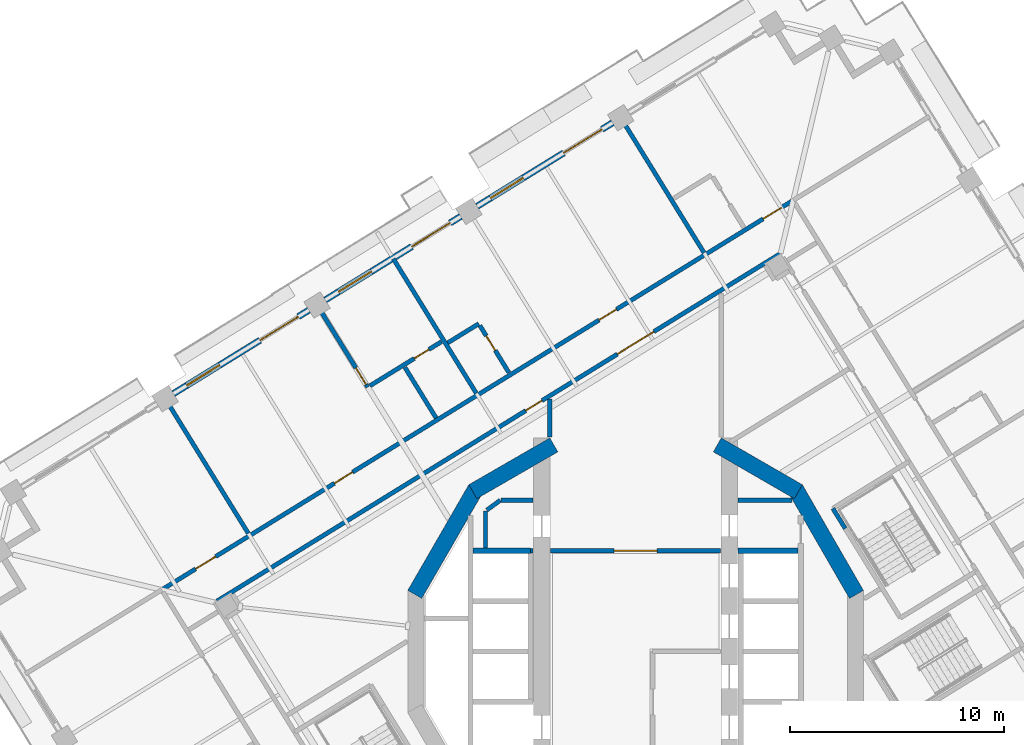
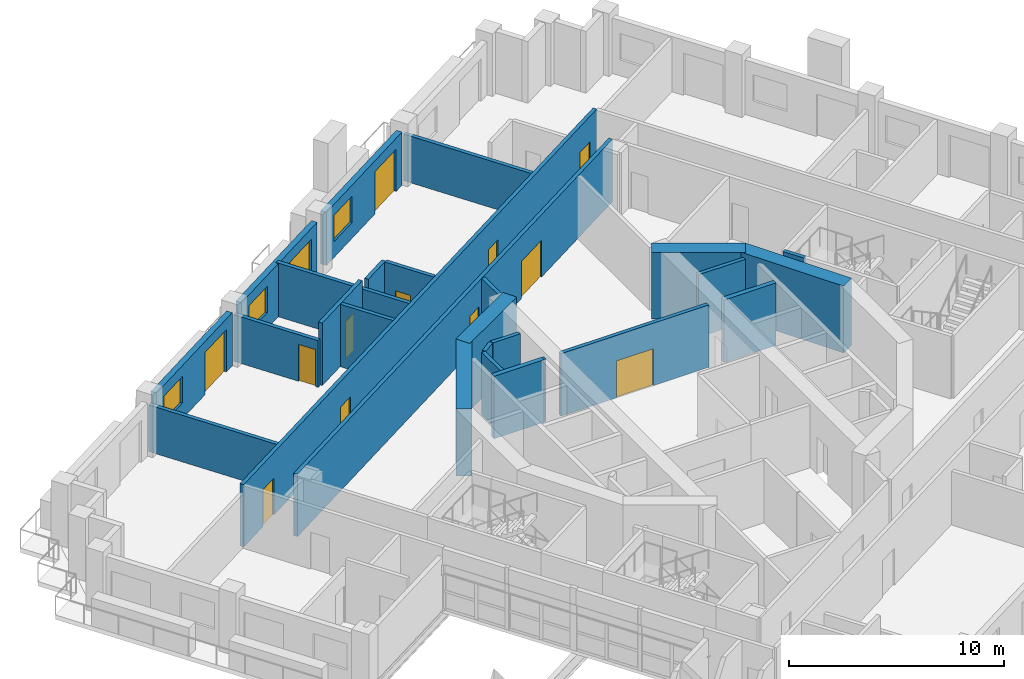
# One storey, part 11 of 22: 27 walls, 13 doors, 3 windows, 16 openings.
"""IFC4 building model written with IfcOpenShell, lengths in metres."""

from ifc_helpers import new_model, si_unit, direction, frame, frame_2d, origin, place, context, subcontext, project, spatial, rectangle, extrude, material, layer, layer_set, type_object, element, fill, save


model = new_model("IFC4")

# Units and contexts
model_context = context("Model", 3, precision=1e-05, world=origin(), true_north=direction((0.0, 1.0)))
body_context = subcontext(model_context, "Body", "Model", "MODEL_VIEW")
ifc_project = project(units=[si_unit("LENGTHUNIT", "METRE"), si_unit("AREAUNIT", "SQUARE_METRE"), si_unit("VOLUMEUNIT", "CUBIC_METRE"), si_unit("PLANEANGLEUNIT", "RADIAN"), si_unit("MASSUNIT", "GRAM", prefix="KILO")], contexts=[model_context])

# Site, building, storey
site_placement = place(None, origin())
site = spatial("IfcSite", under=ifc_project, at=site_placement, CompositionType="ELEMENT")
building_placement = place(site_placement, origin())
building = spatial("IfcBuilding", under=site, at=building_placement, Name="Cantera Rosa Tower", CompositionType="ELEMENT")
storey_placement = place(building_placement, frame((0.0, 0.0, 166.60009765625)))
storey = spatial("IfcBuildingStorey", under=building, at=storey_placement, Name="L36", CompositionType="ELEMENT", Elevation=166.60009765625)

# Wall
ifc_material_1 = material(Name="Gypsum board partition")
ifc_layer_1 = layer(ifc_material_1, 0.199951171875)
ifc_layer_set_1 = layer_set([ifc_layer_1], Name="CORRIDOR WALL 200 H3550")
wall_type_1 = type_object("IfcWallType", Name="CORRIDOR WALL 200 H3550", PredefinedType="PARTITIONING", material=ifc_layer_set_1)
wall_1_placement = place(storey_placement, frame((-4.0, 11.765625, 0.0), z_axis=(0.0, 0.0, 1.0), x_axis=(0.0, -1.0, 0.0)))
element("IfcWall", 1, at=wall_1_placement, inside=storey, type_object=wall_type_1, Name="CORRIDOR WALL L36-061", PredefinedType="PARTITIONING", context=body_context, shape_type="SweptSolid", body=[
    extrude(rectangle(XDim=1.771484375, YDim=0.199951171875, at=frame_2d((0.8857421875, 0.0))), origin(), (0.0, 0.0, 1.0), 3.5498046875),
])

# Wall, opening, door
wall_2_placement = place(storey_placement, frame((-3.969970703125, 4.699951171875, 0.0), z_axis=(0.0, 0.0, 1.0), x_axis=(1.0, 0.0, 0.0)))
wall_2 = element("IfcWall", 2, at=wall_2_placement, inside=storey, type_object=wall_type_1, Name="CORRIDOR WALL L36-062", PredefinedType="PARTITIONING", context=body_context, shape_type="SweptSolid", body=[
    extrude(rectangle(XDim=7.93994140625, YDim=0.199951171875, at=frame_2d((3.969970703125, 0.0))), origin(), (0.0, 0.0, 1.0), 3.5498046875),
])
opening_1_placement = place(wall_2_placement, frame((2.969970703125, 0.0, 0.0)))
opening_1 = element("IfcOpeningElement", 3, at=opening_1_placement, cuts=wall_2, Name="Opening L36-012", PredefinedType="OPENING", context=body_context, shape_type="SweptSolid", body=[
    extrude(rectangle(XDim=2.0, YDim=2.10009765625, at=frame_2d((1.0, 1.050048828125))), frame((0.0, 0.10986328125, 0.0), z_axis=(0.0, -1.0, 0.0), x_axis=(1.0, 0.0, 0.0)), (0.0, 0.0, 1.0), 0.219970703125),
])
ifc_material_2 = material(Name="Steel S355J2 (EN 10025-2)", Category="steel")
door_type_1 = type_object("IfcDoorType", Name="LOBBY SCREEN DOOR 2000x2100", OperationType="NOTDEFINED", PredefinedType="DOOR", material=ifc_material_2)
door_1_placement = place(opening_1_placement, origin())
door_1 = element("IfcDoor", 4, at=door_1_placement, inside=storey, type_object=door_type_1, Name="DOOR L36-012", OperationType="NOTDEFINED", OverallHeight=2.10009765625, OverallWidth=2.0, PredefinedType="DOOR", context=body_context, shape_type="SweptSolid", body=[
    extrude(rectangle(XDim=2.0, YDim=2.10009765625, at=frame_2d((1.0, 1.050048828125))), frame((0.0, 0.02490234375, 0.0), z_axis=(0.0, -1.0, 0.0), x_axis=(1.0, 0.0, 0.0)), (0.0, 0.0, 1.0), 0.050048828125),
])
fill(opening_1, door_1)

# Wall, openings, doors
wall_3_placement = place(storey_placement, frame((6.76123046875, 18.563232421875, 0.0), z_axis=(0.0, 0.0, 1.0), x_axis=(-0.851115762051, -0.524978056292, 0.0)))
wall_3 = element("IfcWall", 5, at=wall_3_placement, inside=storey, type_object=wall_type_1, Name="CORRIDOR WALL L36-088", PredefinedType="PARTITIONING", context=body_context, shape_type="SweptSolid", body=[
    extrude(rectangle(XDim=30.879638671875, YDim=0.199951171875, at=frame_2d((15.43994140625, 0.0))), origin(), (0.0, 0.0, 1.0), 3.5498046875),
])
opening_2_placement = place(wall_3_placement, frame((13.066650390625, 0.0, 0.0)))
opening_2 = element("IfcOpeningElement", 6, at=opening_2_placement, cuts=wall_3, Name="Opening L36-007", PredefinedType="OPENING", context=body_context, shape_type="SweptSolid", body=[
    extrude(rectangle(XDim=0.89990234375, YDim=2.10009765625, at=frame_2d((0.449951171875, 1.050048828125))), frame((0.0, 0.10986328125, 0.0), z_axis=(0.0, -1.0, 0.0), x_axis=(1.0, 0.0, 0.0)), (0.0, 0.0, 1.0), 0.219970703125),
])
opening_3_placement = place(wall_3_placement, frame((6.944091796875, 0.0, 0.0)))
opening_3 = element("IfcOpeningElement", 7, at=opening_3_placement, cuts=wall_3, Name="Opening L36-011", PredefinedType="OPENING", context=body_context, shape_type="SweptSolid", body=[
    extrude(rectangle(XDim=2.0, YDim=2.10009765625, at=frame_2d((1.0, 1.050048828125))), frame((0.0, 0.10986328125, 0.0), z_axis=(0.0, -1.0, 0.0), x_axis=(1.0, 0.0, 0.0)), (0.0, 0.0, 1.0), 0.219970703125),
])
door_2_placement = place(opening_3_placement, origin())
door_2 = element("IfcDoor", 8, at=door_2_placement, inside=storey, type_object=door_type_1, Name="DOOR L36-011", OperationType="NOTDEFINED", OverallHeight=2.10009765625, OverallWidth=2.0, PredefinedType="DOOR", context=body_context, shape_type="SweptSolid", body=[
    extrude(rectangle(XDim=2.0, YDim=2.10009765625, at=frame_2d((1.0, 1.050048828125))), frame((0.0, 0.02490234375, 0.0), z_axis=(0.0, -1.0, 0.0), x_axis=(1.0, 0.0, 0.0)), (0.0, 0.0, 1.0), 0.050048828125),
])
fill(opening_3, door_2)
ifc_material_3 = material(Name="Timber door leaf", Category="wood")
door_type_2 = type_object("IfcDoorType", Name="SERVICE DOOR 900x2100", OperationType="NOTDEFINED", PredefinedType="DOOR", material=ifc_material_3)
door_3_placement = place(opening_2_placement, origin())
door_3 = element("IfcDoor", 9, at=door_3_placement, inside=storey, type_object=door_type_2, Name="DOOR L36-007", OperationType="NOTDEFINED", OverallHeight=2.10009765625, OverallWidth=0.89990234375, PredefinedType="DOOR", context=body_context, shape_type="SweptSolid", body=[
    extrude(rectangle(XDim=0.89990234375, YDim=2.10009765625, at=frame_2d((0.449951171875, 1.050048828125))), frame((0.0, 0.02490234375, 0.0), z_axis=(0.0, -1.0, 0.0), x_axis=(1.0, 0.0, 0.0)), (0.0, 0.0, 1.0), 0.050048828125),
])
fill(opening_2, door_3)

wall_4_placement = place(storey_placement, frame((7.348388671875, 21.040283203125, 0.0), z_axis=(0.0, 0.0, 1.0), x_axis=(-0.85111711572, -0.524975861662, 0.0)))
wall_4 = element("IfcWall", 10, at=wall_4_placement, inside=storey, type_object=wall_type_1, Name="CORRIDOR WALL L36-092", PredefinedType="PARTITIONING", context=body_context, shape_type="SweptSolid", body=[
    extrude(rectangle(XDim=34.599853515625, YDim=0.199951171875, at=frame_2d((17.2998046875, 0.0))), origin(), (0.0, 0.0, 1.0), 3.5498046875),
])
opening_4_placement = place(wall_4_placement, frame((9.68505859375, 0.0, 0.0)))
opening_4 = element("IfcOpeningElement", 11, at=opening_4_placement, cuts=wall_4, Name="Opening L36-028", PredefinedType="OPENING", context=body_context, shape_type="SweptSolid", body=[
    extrude(rectangle(XDim=0.949951171875, YDim=2.10009765625, at=frame_2d((0.47509765625, 1.050048828125))), frame((0.0, 0.10986328125, 0.0), z_axis=(0.0, -1.0, 0.0), x_axis=(1.0, 0.0, 0.0)), (0.0, 0.0, 1.0), 0.219970703125),
])
opening_5_placement = place(wall_4_placement, frame((24.139892578125, 0.0, 0.0)))
opening_5 = element("IfcOpeningElement", 12, at=opening_5_placement, cuts=wall_4, Name="Opening L36-030", PredefinedType="OPENING", context=body_context, shape_type="SweptSolid", body=[
    extrude(rectangle(XDim=1.0, YDim=2.10009765625, at=frame_2d((0.5, 1.050048828125))), frame((0.0, 0.10986328125, 0.0), z_axis=(0.0, -1.0, 0.0), x_axis=(1.0, 0.0, 0.0)), (0.0, 0.0, 1.0), 0.219970703125),
])
opening_6_placement = place(wall_4_placement, frame((0.64990234375, 0.0, 0.0)))
opening_6 = element("IfcOpeningElement", 13, at=opening_6_placement, cuts=wall_4, Name="Opening L36-033", PredefinedType="OPENING", context=body_context, shape_type="SweptSolid", body=[
    extrude(rectangle(XDim=1.0, YDim=2.10009765625, at=frame_2d((0.5, 1.050048828125))), frame((0.0, 0.10986328125, 0.0), z_axis=(0.0, -1.0, 0.0), x_axis=(1.0, 0.0, 0.0)), (0.0, 0.0, 1.0), 0.219970703125),
])
opening_7_placement = place(wall_4_placement, frame((31.639892578125, 0.0, 0.0)))
opening_7 = element("IfcOpeningElement", 14, at=opening_7_placement, cuts=wall_4, Name="Opening L36-035", PredefinedType="OPENING", context=body_context, shape_type="SweptSolid", body=[
    extrude(rectangle(XDim=1.10009765625, YDim=2.10009765625, at=frame_2d((0.550048828125, 1.050048828125))), frame((0.0, 0.10986328125, 0.0), z_axis=(0.0, -1.0, 0.0), x_axis=(1.0, 0.0, 0.0)), (0.0, 0.0, 1.0), 0.219970703125),
])
ifc_material_4 = material(Name="Timber door leaf", Category="wood")
door_type_3 = type_object("IfcDoorType", Name="ENTRANCE DOOR 1000x2100", OperationType="NOTDEFINED", PredefinedType="DOOR", material=ifc_material_4)
door_4_placement = place(opening_5_placement, origin())
door_4 = element("IfcDoor", 15, at=door_4_placement, inside=storey, type_object=door_type_3, Name="DOOR L36-030", OperationType="NOTDEFINED", OverallHeight=2.10009765625, OverallWidth=1.0, PredefinedType="DOOR", context=body_context, shape_type="SweptSolid", body=[
    extrude(rectangle(XDim=1.0, YDim=2.10009765625, at=frame_2d((0.5, 1.050048828125))), frame((0.0, 0.02490234375, 0.0), z_axis=(0.0, -1.0, 0.0), x_axis=(1.0, 0.0, 0.0)), (0.0, 0.0, 1.0), 0.050048828125),
])
fill(opening_5, door_4)
door_5_placement = place(opening_6_placement, origin())
door_5 = element("IfcDoor", 16, at=door_5_placement, inside=storey, type_object=door_type_3, Name="DOOR L36-033", OperationType="NOTDEFINED", OverallHeight=2.10009765625, OverallWidth=1.0, PredefinedType="DOOR", context=body_context, shape_type="SweptSolid", body=[
    extrude(rectangle(XDim=1.0, YDim=2.10009765625, at=frame_2d((0.5, 1.050048828125))), frame((0.0, 0.02490234375, 0.0), z_axis=(0.0, -1.0, 0.0), x_axis=(1.0, 0.0, 0.0)), (0.0, 0.0, 1.0), 0.050048828125),
])
fill(opening_6, door_5)
ifc_material_5 = material(Name="Timber door leaf", Category="wood")
door_type_4 = type_object("IfcDoorType", Name="ROOM DOOR 1100x2100", OperationType="NOTDEFINED", PredefinedType="DOOR", material=ifc_material_5)
door_6_placement = place(opening_7_placement, origin())
door_6 = element("IfcDoor", 17, at=door_6_placement, inside=storey, type_object=door_type_4, Name="DOOR L36-035", OperationType="NOTDEFINED", OverallHeight=2.10009765625, OverallWidth=1.10009765625, PredefinedType="DOOR", context=body_context, shape_type="SweptSolid", body=[
    extrude(rectangle(XDim=1.10009765625, YDim=2.10009765625, at=frame_2d((0.550048828125, 1.050048828125))), frame((0.0, 0.02490234375, 0.0), z_axis=(0.0, -1.0, 0.0), x_axis=(1.0, 0.0, 0.0)), (0.0, 0.0, 1.0), 0.050048828125),
])
fill(opening_7, door_6)
ifc_material_6 = material(Name="Timber door leaf", Category="wood")
door_type_5 = type_object("IfcDoorType", Name="ROOM DOOR 950x2100", OperationType="NOTDEFINED", PredefinedType="DOOR", material=ifc_material_6)
door_7_placement = place(opening_4_placement, origin())
door_7 = element("IfcDoor", 18, at=door_7_placement, inside=storey, type_object=door_type_5, Name="DOOR L36-028", OperationType="NOTDEFINED", OverallHeight=2.10009765625, OverallWidth=0.949951171875, PredefinedType="DOOR", context=body_context, shape_type="SweptSolid", body=[
    extrude(rectangle(XDim=0.949951171875, YDim=2.10009765625, at=frame_2d((0.47509765625, 1.050048828125))), frame((0.0, 0.02490234375, 0.0), z_axis=(0.0, -1.0, 0.0), x_axis=(1.0, 0.0, 0.0)), (0.0, 0.0, 1.0), 0.050048828125),
])
fill(opening_4, door_7)

# Wall, openings, window, door
ifc_material_7 = material(Name="Hollow clay masonry with cantera stone cladding", Category="masonry")
ifc_layer_2 = layer(ifc_material_7, 0.300048828125)
ifc_layer_set_2 = layer_set([ifc_layer_2], Name="EW-LOGGIA 300 H3020")
wall_type_2 = type_object("IfcWallType", Name="EW-LOGGIA 300 H3020", PredefinedType="SOLIDWALL", material=ifc_layer_set_2)
wall_5_placement = place(storey_placement, frame((-1.07421875, 24.656982421875, 0.0), z_axis=(0.0, 0.0, 1.0), x_axis=(-0.85112578684, -0.524961803349, 0.0)))
wall_5 = element("IfcWall", 19, at=wall_5_placement, inside=storey, type_object=wall_type_2, Name="EN-L36-W09", PredefinedType="SOLIDWALL", context=body_context, shape_type="SweptSolid", body=[
    extrude(rectangle(XDim=7.420166015625, YDim=0.300048828125, at=frame_2d((3.7099609375, 0.0))), origin(), (0.0, 0.0, 1.0), 3.02001953125),
])
opening_8_placement = place(wall_5_placement, frame((0.580078125, 0.0, 0.0)))
opening_8 = element("IfcOpeningElement", 20, at=opening_8_placement, cuts=wall_5, Name="Opening L36-TD13", PredefinedType="OPENING", context=body_context, shape_type="SweptSolid", body=[
    extrude(rectangle(XDim=2.10009765625, YDim=2.39990234375, at=frame_2d((1.050048828125, 1.199951171875))), frame((0.0, 0.159912109375, 0.0), z_axis=(0.0, -1.0, 0.0), x_axis=(1.0, 0.0, 0.0)), (0.0, 0.0, 1.0), 0.320068359375),
])
opening_9_placement = place(wall_5_placement, frame((4.889892578125, 0.0, 0.89990234375)))
opening_9 = element("IfcOpeningElement", 21, at=opening_9_placement, cuts=wall_5, Name="Opening L36-W14", PredefinedType="OPENING", context=body_context, shape_type="SweptSolid", body=[
    extrude(rectangle(XDim=1.800048828125, YDim=1.5, at=frame_2d((0.89990234375, 0.75))), frame((0.0, 0.159912109375, 0.0), z_axis=(0.0, -1.0, 0.0), x_axis=(1.0, 0.0, 0.0)), (0.0, 0.0, 1.0), 0.320068359375),
])
ifc_material_8 = material(Name="Aluminium frame with clear glass", Category="aluminium")
window_type = type_object("IfcWindowType", Name="Hotel room window 1800x1500", PartitioningType="DOUBLE_PANEL_VERTICAL", PredefinedType="WINDOW", material=ifc_material_8)
window_1_placement = place(opening_9_placement, origin())
window_1 = element("IfcWindow", 22, at=window_1_placement, inside=storey, type_object=window_type, Name="WINDOW L36-W14", OverallHeight=1.5, OverallWidth=1.800048828125, PartitioningType="SINGLE_PANEL", PredefinedType="WINDOW", context=body_context, shape_type="SweptSolid", body=[
    extrude(rectangle(XDim=1.800048828125, YDim=1.5, at=frame_2d((0.89990234375, 0.75))), frame((0.0, 0.030029296875, 0.0), z_axis=(0.0, -1.0, 0.0), x_axis=(1.0, 0.0, 0.0)), (0.0, 0.0, 1.0), 0.06005859375),
])
fill(opening_9, window_1)
ifc_material_9 = material(Name="Aluminium frame with clear glass", Category="aluminium")
door_type_6 = type_object("IfcDoorType", Name="TD-H 2100x2400", OperationType="NOTDEFINED", PredefinedType="DOOR", material=ifc_material_9)
door_8_placement = place(opening_8_placement, origin())
door_8 = element("IfcDoor", 23, at=door_8_placement, inside=storey, type_object=door_type_6, Name="LOGGIA DOOR L36-TD13", OperationType="SLIDING_TO_LEFT", OverallHeight=2.39990234375, OverallWidth=2.10009765625, PredefinedType="DOOR", context=body_context, shape_type="SweptSolid", body=[
    extrude(rectangle(XDim=2.10009765625, YDim=2.39990234375, at=frame_2d((1.050048828125, 1.199951171875))), frame((0.0, 0.02490234375, 0.0), z_axis=(0.0, -1.0, 0.0), x_axis=(1.0, 0.0, 0.0)), (0.0, 0.0, 1.0), 0.050048828125),
])
fill(opening_8, door_8)

wall_6_placement = place(storey_placement, frame((-8.155517578125, 20.289306640625, 0.0), z_axis=(0.0, 0.0, 1.0), x_axis=(-0.851111085575, -0.524985637909, 0.0)))
wall_6 = element("IfcWall", 24, at=wall_6_placement, inside=storey, type_object=wall_type_2, Name="EN-L36-W10", PredefinedType="SOLIDWALL", context=body_context, shape_type="SweptSolid", body=[
    extrude(rectangle(XDim=7.420166015625, YDim=0.300048828125, at=frame_2d((3.7099609375, 0.0))), origin(), (0.0, 0.0, 1.0), 3.02001953125),
])
opening_10_placement = place(wall_6_placement, frame((0.580078125, 0.0, 0.0)))
opening_10 = element("IfcOpeningElement", 25, at=opening_10_placement, cuts=wall_6, Name="Opening L36-TD15", PredefinedType="OPENING", context=body_context, shape_type="SweptSolid", body=[
    extrude(rectangle(XDim=2.10009765625, YDim=2.39990234375, at=frame_2d((1.050048828125, 1.199951171875))), frame((0.0, 0.159912109375, 0.0), z_axis=(0.0, -1.0, 0.0), x_axis=(1.0, 0.0, 0.0)), (0.0, 0.0, 1.0), 0.320068359375),
])
opening_11_placement = place(wall_6_placement, frame((4.889892578125, 0.0, 0.89990234375)))
opening_11 = element("IfcOpeningElement", 26, at=opening_11_placement, cuts=wall_6, Name="Opening L36-W16", PredefinedType="OPENING", context=body_context, shape_type="SweptSolid", body=[
    extrude(rectangle(XDim=1.800048828125, YDim=1.5, at=frame_2d((0.89990234375, 0.75))), frame((0.0, 0.159912109375, 0.0), z_axis=(0.0, -1.0, 0.0), x_axis=(1.0, 0.0, 0.0)), (0.0, 0.0, 1.0), 0.320068359375),
])
window_2_placement = place(opening_11_placement, origin())
window_2 = element("IfcWindow", 27, at=window_2_placement, inside=storey, type_object=window_type, Name="WINDOW L36-W16", OverallHeight=1.5, OverallWidth=1.800048828125, PartitioningType="SINGLE_PANEL", PredefinedType="WINDOW", context=body_context, shape_type="SweptSolid", body=[
    extrude(rectangle(XDim=1.800048828125, YDim=1.5, at=frame_2d((0.89990234375, 0.75))), frame((0.0, 0.030029296875, 0.0), z_axis=(0.0, -1.0, 0.0), x_axis=(1.0, 0.0, 0.0)), (0.0, 0.0, 1.0), 0.06005859375),
])
fill(opening_11, window_2)
door_9_placement = place(opening_10_placement, origin())
door_9 = element("IfcDoor", 28, at=door_9_placement, inside=storey, type_object=door_type_6, Name="LOGGIA DOOR L36-TD15", OperationType="SLIDING_TO_LEFT", OverallHeight=2.39990234375, OverallWidth=2.10009765625, PredefinedType="DOOR", context=body_context, shape_type="SweptSolid", body=[
    extrude(rectangle(XDim=2.10009765625, YDim=2.39990234375, at=frame_2d((1.050048828125, 1.199951171875))), frame((0.0, 0.02490234375, 0.0), z_axis=(0.0, -1.0, 0.0), x_axis=(1.0, 0.0, 0.0)), (0.0, 0.0, 1.0), 0.050048828125),
])
fill(opening_10, door_9)

wall_7_placement = place(storey_placement, frame((-15.23681640625, 15.92138671875, 0.0), z_axis=(0.0, 0.0, 1.0), x_axis=(-0.85112578684, -0.524961803349, 0.0)))
wall_7 = element("IfcWall", 29, at=wall_7_placement, inside=storey, type_object=wall_type_2, Name="EN-L36-W11", PredefinedType="SOLIDWALL", context=body_context, shape_type="SweptSolid", body=[
    extrude(rectangle(XDim=7.420166015625, YDim=0.300048828125, at=frame_2d((3.7099609375, 0.0))), origin(), (0.0, 0.0, 1.0), 3.02001953125),
])
opening_12_placement = place(wall_7_placement, frame((0.580078125, 0.0, 0.0)))
opening_12 = element("IfcOpeningElement", 30, at=opening_12_placement, cuts=wall_7, Name="Opening L36-TD17", PredefinedType="OPENING", context=body_context, shape_type="SweptSolid", body=[
    extrude(rectangle(XDim=2.10009765625, YDim=2.39990234375, at=frame_2d((1.050048828125, 1.199951171875))), frame((0.0, 0.159912109375, 0.0), z_axis=(0.0, -1.0, 0.0), x_axis=(1.0, 0.0, 0.0)), (0.0, 0.0, 1.0), 0.320068359375),
])
opening_13_placement = place(wall_7_placement, frame((4.889892578125, 0.0, 0.89990234375)))
opening_13 = element("IfcOpeningElement", 31, at=opening_13_placement, cuts=wall_7, Name="Opening L36-W18", PredefinedType="OPENING", context=body_context, shape_type="SweptSolid", body=[
    extrude(rectangle(XDim=1.800048828125, YDim=1.5, at=frame_2d((0.89990234375, 0.75))), frame((0.0, 0.159912109375, 0.0), z_axis=(0.0, -1.0, 0.0), x_axis=(1.0, 0.0, 0.0)), (0.0, 0.0, 1.0), 0.320068359375),
])
window_3_placement = place(opening_13_placement, origin())
window_3 = element("IfcWindow", 32, at=window_3_placement, inside=storey, type_object=window_type, Name="WINDOW L36-W18", OverallHeight=1.5, OverallWidth=1.800048828125, PartitioningType="SINGLE_PANEL", PredefinedType="WINDOW", context=body_context, shape_type="SweptSolid", body=[
    extrude(rectangle(XDim=1.800048828125, YDim=1.5, at=frame_2d((0.89990234375, 0.75))), frame((0.0, 0.030029296875, 0.0), z_axis=(0.0, -1.0, 0.0), x_axis=(1.0, 0.0, 0.0)), (0.0, 0.0, 1.0), 0.06005859375),
])
fill(opening_13, window_3)
door_10_placement = place(opening_12_placement, origin())
door_10 = element("IfcDoor", 33, at=door_10_placement, inside=storey, type_object=door_type_6, Name="LOGGIA DOOR L36-TD17", OperationType="SLIDING_TO_LEFT", OverallHeight=2.39990234375, OverallWidth=2.10009765625, PredefinedType="DOOR", context=body_context, shape_type="SweptSolid", body=[
    extrude(rectangle(XDim=2.10009765625, YDim=2.39990234375, at=frame_2d((1.050048828125, 1.199951171875))), frame((0.0, 0.02490234375, 0.0), z_axis=(0.0, -1.0, 0.0), x_axis=(1.0, 0.0, 0.0)), (0.0, 0.0, 1.0), 0.050048828125),
])
fill(opening_12, door_10)

# Wall, opening, door
ifc_material_10 = material(Name="Gypsum board partition")
ifc_layer_3 = layer(ifc_material_10, 0.199951171875)
ifc_layer_set_3 = layer_set([ifc_layer_3], Name="PARTITION 200 H2650")
wall_type_3 = type_object("IfcWallType", Name="PARTITION 200 H2650", PredefinedType="PARTITIONING", material=ifc_layer_set_3)
wall_8_placement = place(storey_placement, frame((-12.491455078125, 12.32763671875, 0.0), z_axis=(0.0, 0.0, 1.0), x_axis=(-0.524986965499, 0.851110266685, 0.0)))
wall_8 = element("IfcWall", 34, at=wall_8_placement, inside=storey, type_object=wall_type_3, Name="PARTITION L36-021", PredefinedType="PARTITIONING", context=body_context, shape_type="SweptSolid", body=[
    extrude(rectangle(XDim=4.469970703125, YDim=0.199951171875, at=frame_2d((2.23486328125, 0.0))), origin(), (0.0, 0.0, 1.0), 2.64990234375),
])
opening_14_placement = place(wall_8_placement, frame((0.14990234375, 0.0, 0.0)))
opening_14 = element("IfcOpeningElement", 35, at=opening_14_placement, cuts=wall_8, Name="Opening L36-031", PredefinedType="OPENING", context=body_context, shape_type="SweptSolid", body=[
    extrude(rectangle(XDim=0.89990234375, YDim=2.10009765625, at=frame_2d((0.449951171875, 1.050048828125))), frame((0.0, 0.10986328125, 0.0), z_axis=(0.0, -1.0, 0.0), x_axis=(1.0, 0.0, 0.0)), (0.0, 0.0, 1.0), 0.219970703125),
])
ifc_material_11 = material(Name="Timber door leaf", Category="wood")
door_type_7 = type_object("IfcDoorType", Name="ROOM DOOR 900x2100", OperationType="NOTDEFINED", PredefinedType="DOOR", material=ifc_material_11)
door_11_placement = place(opening_14_placement, origin())
door_11 = element("IfcDoor", 36, at=door_11_placement, inside=storey, type_object=door_type_7, Name="DOOR L36-031", OperationType="NOTDEFINED", OverallHeight=2.10009765625, OverallWidth=0.89990234375, PredefinedType="DOOR", context=body_context, shape_type="SweptSolid", body=[
    extrude(rectangle(XDim=0.89990234375, YDim=2.10009765625, at=frame_2d((0.449951171875, 1.050048828125))), frame((0.0, 0.02490234375, 0.0), z_axis=(0.0, -1.0, 0.0), x_axis=(1.0, 0.0, 0.0)), (0.0, 0.0, 1.0), 0.050048828125),
])
fill(opening_14, door_11)

# Wall
ifc_material_12 = material(Name="Gypsum board partition")
ifc_layer_4 = layer(ifc_material_12, 0.199951171875)
ifc_layer_set_4 = layer_set([ifc_layer_4], Name="PARTITION 200 H3550")
wall_type_4 = type_object("IfcWallType", Name="PARTITION 200 H3550", PredefinedType="PARTITIONING", material=ifc_layer_set_4)
wall_9_placement = place(storey_placement, frame((-9.30078125, 10.888427734375, 0.0), z_axis=(0.0, 0.0, 1.0), x_axis=(-0.525008529336, 0.851096965172, 0.0)))
element("IfcWall", 37, at=wall_9_placement, inside=storey, type_object=wall_type_4, Name="PARTITION L36-028", PredefinedType="PARTITIONING", context=body_context, shape_type="SweptSolid", body=[
    extrude(rectangle(XDim=2.77978515625, YDim=0.199951171875, at=frame_2d((1.389892578125, 0.0))), origin(), (0.0, 0.0, 1.0), 3.5498046875),
])

# Wall, opening, door
wall_10_placement = place(storey_placement, frame((-9.052978515625, 14.448486328125, 0.0), z_axis=(0.0, 0.0, 1.0), x_axis=(-0.851125418934, -0.524962399839, 0.0)))
wall_10 = element("IfcWall", 38, at=wall_10_placement, inside=storey, type_object=wall_type_4, Name="PARTITION L36-030", PredefinedType="PARTITIONING", context=body_context, shape_type="SweptSolid", body=[
    extrude(rectangle(XDim=3.919921875, YDim=0.199951171875, at=frame_2d((1.9599609375, 0.0))), origin(), (0.0, 0.0, 1.0), 3.5498046875),
])
opening_15_placement = place(wall_10_placement, frame((0.68994140625, 0.0, 0.0)))
opening_15 = element("IfcOpeningElement", 39, at=opening_15_placement, cuts=wall_10, Name="Opening L36-032", PredefinedType="OPENING", context=body_context, shape_type="SweptSolid", body=[
    extrude(rectangle(XDim=0.800048828125, YDim=2.10009765625, at=frame_2d((0.39990234375, 1.050048828125))), frame((0.0, 0.10986328125, 0.0), z_axis=(0.0, -1.0, 0.0), x_axis=(1.0, 0.0, 0.0)), (0.0, 0.0, 1.0), 0.219970703125),
])
ifc_material_13 = material(Name="Timber door leaf", Category="wood")
door_type_8 = type_object("IfcDoorType", Name="BATHROOM DOOR 800x2100", OperationType="NOTDEFINED", PredefinedType="DOOR", material=ifc_material_13)
door_12_placement = place(opening_15_placement, origin())
door_12 = element("IfcDoor", 40, at=door_12_placement, inside=storey, type_object=door_type_8, Name="DOOR L36-032", OperationType="NOTDEFINED", OverallHeight=2.10009765625, OverallWidth=0.800048828125, PredefinedType="DOOR", context=body_context, shape_type="SweptSolid", body=[
    extrude(rectangle(XDim=0.800048828125, YDim=2.10009765625, at=frame_2d((0.39990234375, 1.050048828125))), frame((0.0, 0.02490234375, 0.0), z_axis=(0.0, -1.0, 0.0), x_axis=(1.0, 0.0, 0.0)), (0.0, 0.0, 1.0), 0.050048828125),
])
fill(opening_15, door_12)

# Wall
wall_11_placement = place(storey_placement, frame((-8.7607421875, 14.393798828125, 0.0), z_axis=(0.0, 0.0, 1.0), x_axis=(0.851105638601, 0.524994468487, 0.0)))
element("IfcWall", 41, at=wall_11_placement, inside=storey, type_object=wall_type_4, Name="PARTITION L36-031", PredefinedType="PARTITIONING", context=body_context, shape_type="SweptSolid", body=[
    extrude(rectangle(XDim=1.7001953125, YDim=0.199951171875, at=frame_2d((0.85009765625, 0.0))), origin(), (0.0, 0.0, 1.0), 3.5498046875),
])

# Wall, opening, door
wall_12_placement = place(storey_placement, frame((-7.26123046875, 15.201171875, 0.0), z_axis=(0.0, 0.0, 1.0), x_axis=(0.524936695429, -0.851141272523, 0.0)))
wall_12 = element("IfcWall", 42, at=wall_12_placement, inside=storey, type_object=wall_type_4, Name="PARTITION L36-043", PredefinedType="PARTITIONING", context=body_context, shape_type="SweptSolid", body=[
    extrude(rectangle(XDim=2.579833984375, YDim=0.199951171875, at=frame_2d((1.2900390625, 0.0))), origin(), (0.0, 0.0, 1.0), 3.5498046875),
])
opening_16_placement = place(wall_12_placement, frame((0.56396484375, 0.0, 0.0)))
opening_16 = element("IfcOpeningElement", 43, at=opening_16_placement, cuts=wall_12, Name="Opening L36-029", PredefinedType="OPENING", context=body_context, shape_type="SweptSolid", body=[
    extrude(rectangle(XDim=0.800048828125, YDim=2.10009765625, at=frame_2d((0.39990234375, 1.050048828125))), frame((0.0, 0.10986328125, 0.0), z_axis=(0.0, -1.0, 0.0), x_axis=(1.0, 0.0, 0.0)), (0.0, 0.0, 1.0), 0.219970703125),
])
door_13_placement = place(opening_16_placement, origin())
door_13 = element("IfcDoor", 44, at=door_13_placement, inside=storey, type_object=door_type_8, Name="DOOR L36-029", OperationType="NOTDEFINED", OverallHeight=2.10009765625, OverallWidth=0.800048828125, PredefinedType="DOOR", context=body_context, shape_type="SweptSolid", body=[
    extrude(rectangle(XDim=0.800048828125, YDim=2.10009765625, at=frame_2d((0.39990234375, 1.050048828125))), frame((0.0, 0.02490234375, 0.0), z_axis=(0.0, -1.0, 0.0), x_axis=(1.0, 0.0, 0.0)), (0.0, 0.0, 1.0), 0.050048828125),
])
fill(opening_16, door_13)

# Walls
wall_13_placement = place(storey_placement, frame((-7.0, 4.824951171875, 0.0), z_axis=(0.0, 0.0, 1.0), x_axis=(0.0, 1.0, 0.0)))
element("IfcWall", 45, at=wall_13_placement, inside=storey, type_object=wall_type_4, Name="PARTITION L36-046", PredefinedType="PARTITIONING", context=body_context, shape_type="SweptSolid", body=[
    extrude(rectangle(XDim=1.72509765625, YDim=0.199951171875, at=frame_2d((0.862548828125, 0.0))), origin(), (0.0, 0.0, 1.0), 3.5498046875),
])
wall_14_placement = place(storey_placement, frame((-6.935302734375, 6.59716796875, 0.0), z_axis=(0.0, 0.0, 1.0), x_axis=(0.808227862651, 0.588869868506, 0.0)))
element("IfcWall", 46, at=wall_14_placement, inside=storey, type_object=wall_type_4, Name="PARTITION L36-047", PredefinedType="PARTITIONING", context=body_context, shape_type="SweptSolid", body=[
    extrude(rectangle(XDim=0.76904296875, YDim=0.199951171875, at=frame_2d((0.384521484375, 0.0))), origin(), (0.0, 0.0, 1.0), 3.5498046875),
])
wall_15_placement = place(storey_placement, frame((-6.273681640625, 7.050048828125, 0.0), z_axis=(0.0, 0.0, 1.0), x_axis=(1.0, 0.0, 0.0)))
element("IfcWall", 47, at=wall_15_placement, inside=storey, type_object=wall_type_4, Name="PARTITION L36-051", PredefinedType="PARTITIONING", context=body_context, shape_type="SweptSolid", body=[
    extrude(rectangle(XDim=1.49365234375, YDim=0.199951171875, at=frame_2d((0.746826171875, 0.0))), origin(), (0.0, 0.0, 1.0), 3.5498046875),
])
wall_16_placement = place(storey_placement, frame((-4.780029296875, 4.699951171875, 0.0), z_axis=(0.0, 0.0, 1.0), x_axis=(-1.0, 0.0, 0.0)))
element("IfcWall", 48, at=wall_16_placement, inside=storey, type_object=wall_type_4, Name="PARTITION L36-056", PredefinedType="PARTITIONING", context=body_context, shape_type="SweptSolid", body=[
    extrude(rectangle(XDim=0.119873046875, YDim=0.199951171875, at=frame_2d((0.06005859375, 0.0))), origin(), (0.0, 0.0, 1.0), 3.5498046875),
])
wall_17_placement = place(storey_placement, frame((4.780029296875, 7.050048828125, 0.0), z_axis=(0.0, 0.0, 1.0), x_axis=(1.0, 0.0, 0.0)))
element("IfcWall", 49, at=wall_17_placement, inside=storey, type_object=wall_type_4, Name="PARTITION L36-083", PredefinedType="PARTITIONING", context=body_context, shape_type="SweptSolid", body=[
    extrude(rectangle(XDim=2.517822265625, YDim=0.199951171875, at=frame_2d((1.2587890625, 0.0))), origin(), (0.0, 0.0, 1.0), 3.5498046875),
])
ifc_material_14 = material(Name="Gypsum board partition")
ifc_layer_5 = layer(ifc_material_14, 0.199951171875)
ifc_layer_set_5 = layer_set([ifc_layer_5], Name="PARTY WALL 200 H2650")
wall_type_5 = type_object("IfcWallType", Name="PARTY WALL 200 H2650", PredefinedType="PARTITIONING", material=ifc_layer_set_5)
wall_18_placement = place(storey_placement, frame((-18.060791015625, 5.508544921875, 0.0), z_axis=(0.0, 0.0, 1.0), x_axis=(-0.524973728225, 0.851118431638, 0.0)))
element("IfcWall", 50, at=wall_18_placement, inside=storey, type_object=wall_type_5, Name="PARTY WALL L36-014", PredefinedType="PARTITIONING", context=body_context, shape_type="SweptSolid", body=[
    extrude(rectangle(XDim=7.35009765625, YDim=0.199951171875, at=frame_2d((3.675048828125, 0.0))), origin(), (0.0, 0.0, 1.0), 2.64990234375),
])
wall_19_placement = place(storey_placement, frame((-0.675537109375, 24.86767578125, 0.0), z_axis=(0.0, 0.0, 1.0), x_axis=(0.52498429839, -0.851111911821, 0.0)))
element("IfcWall", 51, at=wall_19_placement, inside=storey, type_object=wall_type_5, Name="PARTY WALL L36-065", PredefinedType="PARTITIONING", context=body_context, shape_type="SweptSolid", body=[
    extrude(rectangle(XDim=7.3701171875, YDim=0.199951171875, at=frame_2d((3.68505859375, 0.0))), origin(), (0.0, 0.0, 1.0), 2.64990234375),
])
ifc_material_15 = material(Name="Gypsum board partition")
ifc_layer_6 = layer(ifc_material_15, 0.199951171875)
ifc_layer_set_6 = layer_set([ifc_layer_6], Name="PARTY WALL 200 H3050")
wall_type_6 = type_object("IfcWallType", Name="PARTY WALL 200 H3050", PredefinedType="PARTITIONING", material=ifc_layer_set_6)
wall_20_placement = place(storey_placement, frame((-7.428466796875, 12.043212890625, 0.0), z_axis=(0.0, 0.0, 1.0), x_axis=(-0.52498429839, 0.851111911821, 0.0)))
element("IfcWall", 52, at=wall_20_placement, inside=storey, type_object=wall_type_6, Name="PARTY WALL L36-041", PredefinedType="PARTITIONING", context=body_context, shape_type="SweptSolid", body=[
    extrude(rectangle(XDim=7.3701171875, YDim=0.199951171875, at=frame_2d((3.68505859375, 0.0))), origin(), (0.0, 0.0, 1.0), 3.0498046875),
])
ifc_material_16 = material(Name="Concrete C60/75", Category="concrete")
ifc_layer_7 = layer(ifc_material_16, 0.75)
ifc_layer_set_7 = layer_set([ifc_layer_7], Name="RC CORE WALL 750 C60/75")
wall_type_7 = type_object("IfcWallType", Name="RC CORE WALL 750 C60/75", PredefinedType="SHEAR", material=ifc_layer_set_7)
wall_21_placement = place(storey_placement, frame((-10.300537109375, 2.659423828125, 0.0), z_axis=(0.0, 0.0, 1.0), x_axis=(0.500021842983, 0.866012792365, 0.0)))
element("IfcWall", 53, at=wall_21_placement, inside=storey, type_object=wall_type_7, Name="CW-W4 L36", PredefinedType="SHEAR", context=body_context, shape_type="SweptSolid", body=[
    extrude(rectangle(XDim=5.694091796875, YDim=0.75, at=frame_2d((2.84716796875, 0.0))), origin(), (0.0, 0.0, 1.0), 3.7998046875),
])
for number, where, z_axis, x_axis, name in (
    (54, (-7.590576171875, 7.453369140625, 0.0), (0.0, 0.0, 1.0), (0.866013176292, 0.50002117804, 0.0), "CW-W5 L36"),
    (55, (3.8125, 9.634765625, 0.0), (0.0, 0.0, 1.0), (0.866013176292, -0.50002117804, 0.0), "CW-E1 L36"),
):
    element("IfcWall", number, at=place(storey_placement, frame(where, z_axis=z_axis, x_axis=x_axis)), inside=storey, type_object=wall_type_7, Name=name, PredefinedType="SHEAR", context=body_context, shape_type="SweptSolid", body=[
        extrude(rectangle(XDim=4.362548828125, YDim=0.75, at=frame_2d((2.18115234375, 0.0))), origin(), (0.0, 0.0, 1.0), 3.7998046875),
    ])
wall_22_placement = place(storey_placement, frame((7.453369140625, 7.590576171875, 0.0), z_axis=(0.0, 0.0, 1.0), x_axis=(0.500021842983, -0.866012792365, 0.0)))
element("IfcWall", 56, at=wall_22_placement, inside=storey, type_object=wall_type_7, Name="CW-E2 L36", PredefinedType="SHEAR", context=body_context, shape_type="SweptSolid", body=[
    extrude(rectangle(XDim=5.694091796875, YDim=0.75, at=frame_2d((2.84716796875, 0.0))), origin(), (0.0, 0.0, 1.0), 3.7998046875),
])
ifc_material_17 = material(Name="Masonry blockwork", Category="masonry")
ifc_layer_8 = layer(ifc_material_17, 0.25)
ifc_layer_set_8 = layer_set([ifc_layer_8], Name="SHAFT WALL 250 H3550")
wall_type_8 = type_object("IfcWallType", Name="SHAFT WALL 250 H3550", PredefinedType="SOLIDWALL", material=ifc_layer_set_8)
wall_23_placement = place(storey_placement, frame((-7.574951171875, 4.699951171875, 0.0), z_axis=(0.0, 0.0, 1.0), x_axis=(1.0, 0.0, 0.0)))
element("IfcWall", 57, at=wall_23_placement, inside=storey, type_object=wall_type_8, Name="SHAFT WALL L36-039", PredefinedType="SOLIDWALL", context=body_context, shape_type="SweptSolid", body=[
    extrude(rectangle(XDim=2.675048828125, YDim=0.25, at=frame_2d((1.33740234375, 0.0))), origin(), (0.0, 0.0, 1.0), 3.5498046875),
])
wall_24_placement = place(storey_placement, frame((4.780029296875, 4.699951171875, 0.0), z_axis=(0.0, 0.0, 1.0), x_axis=(1.0, 0.0, 0.0)))
element("IfcWall", 58, at=wall_24_placement, inside=storey, type_object=wall_type_8, Name="SHAFT WALL L36-082", PredefinedType="SOLIDWALL", context=body_context, shape_type="SweptSolid", body=[
    extrude(rectangle(XDim=2.794921875, YDim=0.25, at=frame_2d((1.3974609375, 0.0))), origin(), (0.0, 0.0, 1.0), 3.5498046875),
])
ifc_material_18 = material(Name="Concrete C50/60", Category="concrete")
ifc_layer_9 = layer(ifc_material_18, 0.199951171875)
ifc_layer_set_9 = layer_set([ifc_layer_9], Name="STAIR WALL 200 H3550")
wall_type_9 = type_object("IfcWallType", Name="STAIR WALL 200 H3550", PredefinedType="SOLIDWALL", material=ifc_layer_set_9)
wall_25_placement = place(storey_placement, frame((9.199462890625, 6.674072265625, 0.0), z_axis=(0.0, 0.0, 1.0), x_axis=(0.524902102766, -0.851162606387, 0.0)))
element("IfcWall", 59, at=wall_25_placement, inside=storey, type_object=wall_type_9, Name="STAIR WALL L36-099", PredefinedType="SOLIDWALL", context=body_context, shape_type="SweptSolid", body=[
    extrude(rectangle(XDim=1.10009765625, YDim=0.199951171875, at=frame_2d((0.550048828125, 0.0))), origin(), (0.0, 0.0, 1.0), 3.5498046875),
])

save(model, "model.ifc")
